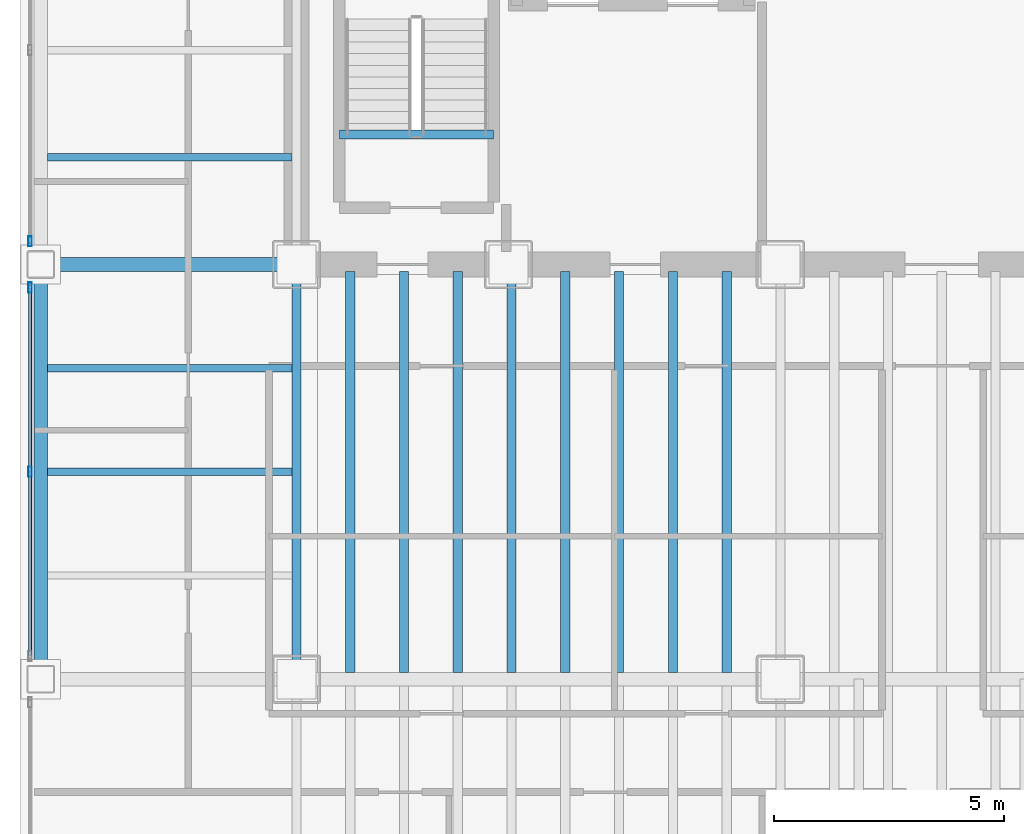
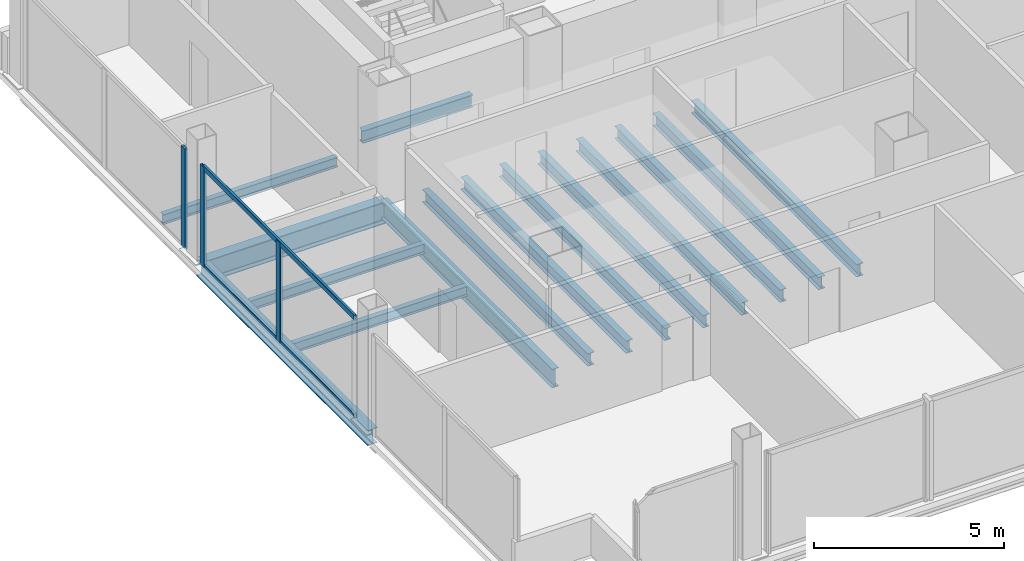
# One storey, part 6 of 22: 15 beams, 5 members, 2 elements without a shape of their own.
"""IFC4 building model written with IfcOpenShell, lengths in metres."""

from ifc_helpers import new_model, si_unit, direction, frame, origin, origin_2d, place, context, subcontext, project, spatial, hollow_rectangle, i_section, extrude, material, material_profile, profile_set, type_object, element, aggregate, save


model = new_model("IFC4")

# Units and contexts
model_context = context("Model", 3, precision=1e-05, world=origin(), true_north=direction((0.0, 1.0)))
body_context = subcontext(model_context, "Body", "Model", "MODEL_VIEW")
ifc_project = project(units=[si_unit("LENGTHUNIT", "METRE"), si_unit("AREAUNIT", "SQUARE_METRE"), si_unit("VOLUMEUNIT", "CUBIC_METRE"), si_unit("PLANEANGLEUNIT", "RADIAN"), si_unit("MASSUNIT", "GRAM", prefix="KILO")], contexts=[model_context])

# Site, building, storey
site_placement = place(None, origin())
site = spatial("IfcSite", under=ifc_project, at=site_placement, CompositionType="ELEMENT")
building_placement = place(site_placement, origin())
building = spatial("IfcBuilding", under=site, at=building_placement, Name="Noeulbin Bourse Tower", CompositionType="ELEMENT")
storey_placement = place(building_placement, frame((0.0, 0.0, 85.0)))
storey = spatial("IfcBuildingStorey", under=building, at=storey_placement, Name="L21", CompositionType="ELEMENT", Elevation=85.0)

# Beams
ifc_material_1 = material(Name="Steel S355", Category="steel")
ifc_material_profile_1 = material_profile(ifc_material_1, i_section(OverallWidth=0.199951171875, OverallDepth=0.60009765625, WebThickness=0.010986328125, FlangeThickness=0.01708984375, FilletRadius=0.02197265625, at=origin_2d()), Name="H-600x200x11x17", Category="LoadBearing")
ifc_profile_set_1 = profile_set([ifc_material_profile_1], Name="Steel S355")
beam_type_1 = type_object("IfcBeamType", Name="BM-GRD-600", PredefinedType="USERDEFINED", material=ifc_profile_set_1)
beam_1_placement = place(storey_placement, frame((13.5, 20.0, -0.47998046875), z_axis=(0.0, 1.0, 0.0), x_axis=(-1.0, 0.0, 0.0)))
element("IfcBeam", 1, at=beam_1_placement, inside=storey, type_object=beam_type_1, Name="Tower Primary Girder NS L21-1.2", ObjectType="GIRDER", PredefinedType="USERDEFINED", context=body_context, shape_type="SweptSolid", body=[
    extrude(i_section(OverallWidth=0.199951171875, OverallDepth=0.60009765625, WebThickness=0.010986328125, FlangeThickness=0.01708984375, FilletRadius=0.02197265625, at=origin_2d()), origin(), (0.0, 0.0, 1.0), 9.0),
])
ifc_material_profile_2 = material_profile(ifc_material_1, i_section(OverallWidth=0.300048828125, OverallDepth=0.699951171875, WebThickness=0.012939453125, FlangeThickness=0.02392578125, FilletRadius=0.02392578125, at=origin_2d()), Name="H-700x300x13x24", Category="LoadBearing")
ifc_profile_set_2 = profile_set([ifc_material_profile_2], Name="Steel S355")
beam_type_2 = type_object("IfcBeamType", Name="BM-GRD-700", PredefinedType="USERDEFINED", material=ifc_profile_set_2)
beam_2_placement = place(storey_placement, frame((7.949951171875, 29.0, -0.530029296875), z_axis=(1.0, 0.0, 0.0), x_axis=(0.0, 1.0, 0.0)))
element("IfcBeam", 2, at=beam_2_placement, inside=storey, type_object=beam_type_2, Name="Tower Primary Girder EW L21-2.1", ObjectType="GIRDER", PredefinedType="USERDEFINED", context=body_context, shape_type="SweptSolid", body=[
    extrude(i_section(OverallWidth=0.300048828125, OverallDepth=0.699951171875, WebThickness=0.012939453125, FlangeThickness=0.02392578125, FilletRadius=0.02392578125, at=origin_2d()), origin(), (0.0, 0.0, 1.0), 5.550048828125),
])
ifc_material_profile_3 = material_profile(ifc_material_1, i_section(OverallWidth=0.159912109375, OverallDepth=0.320068359375, WebThickness=0.006591796875, FlangeThickness=0.010009765625, FilletRadius=0.012939453125, at=origin_2d()), Name="H-320x160x6.5x10", Category="LoadBearing")
ifc_profile_set_3 = profile_set([ifc_material_profile_3], Name="Steel S355")
beam_type_3 = type_object("IfcBeamType", Name="BM-JST-320", PredefinedType="JOIST", material=ifc_profile_set_3)
for number, where, z_axis, x_axis, name in (
    (3, (8.10009765625, 24.5, -0.340087890625), (1.0, 0.0, 0.0), (0.0, 1.0, 0.0), "Wing Composite Joist L21-W71"),
    (4, (8.10009765625, 26.75, -0.340087890625), (1.0, 0.0, 0.0), (0.0, 1.0, 0.0), "Wing Composite Joist L21-W72"),
    (5, (8.10009765625, 31.324951171875, -0.340087890625), (1.0, 0.0, 0.0), (0.0, 1.0, 0.0), "Wing Composite Joist L21-W73"),
):
    element("IfcBeam", number, at=place(storey_placement, frame(where, z_axis=z_axis, x_axis=x_axis)), inside=storey, type_object=beam_type_3, Name=name, PredefinedType="JOIST", context=body_context, shape_type="SweptSolid", body=[
        extrude(i_section(OverallWidth=0.159912109375, OverallDepth=0.320068359375, WebThickness=0.006591796875, FlangeThickness=0.010009765625, FilletRadius=0.012939453125, at=origin_2d()), origin(), (0.0, 0.0, 1.0), 5.2998046875),
    ])
ifc_material_profile_4 = material_profile(ifc_material_1, i_section(OverallWidth=0.199951171875, OverallDepth=0.39990234375, WebThickness=0.008056640625, FlangeThickness=0.012939453125, FilletRadius=0.01611328125, at=origin_2d()), Name="H-400x200x8x13", Category="LoadBearing")
ifc_profile_set_4 = profile_set([ifc_material_profile_4], Name="Steel S355")
beam_type_4 = type_object("IfcBeamType", Name="BM-SEC-400", PredefinedType="BEAM", material=ifc_profile_set_4)
for number, where, z_axis, x_axis, name in (
    (6, (14.666748046875, 20.14990234375, -0.3798828125), (0.0, 1.0, 0.0), (-1.0, 0.0, 0.0), "Tower Composite Joist L21-02"),
    (7, (15.833251953125, 20.14990234375, -0.3798828125), (0.0, 1.0, 0.0), (-1.0, 0.0, 0.0), "Tower Composite Joist L21-05"),
    (8, (17.0, 20.14990234375, -0.3798828125), (0.0, 1.0, 0.0), (-1.0, 0.0, 0.0), "Tower Composite Joist L21-08"),
    (9, (18.166748046875, 20.14990234375, -0.3798828125), (0.0, 1.0, 0.0), (-1.0, 0.0, 0.0), "Tower Composite Joist L21-11"),
    (10, (19.333251953125, 20.14990234375, -0.3798828125), (0.0, 1.0, 0.0), (-1.0, 0.0, 0.0), "Tower Composite Joist L21-14"),
    (11, (20.5, 20.14990234375, -0.3798828125), (0.0, 1.0, 0.0), (-1.0, 0.0, 0.0), "Tower Composite Joist L21-17"),
    (12, (21.666748046875, 20.14990234375, -0.3798828125), (0.0, 1.0, 0.0), (-1.0, 0.0, 0.0), "Tower Composite Joist L21-20"),
    (13, (22.833251953125, 20.14990234375, -0.3798828125), (0.0, 1.0, 0.0), (-1.0, 0.0, 0.0), "Tower Composite Joist L21-23"),
):
    element("IfcBeam", number, at=place(storey_placement, frame(where, z_axis=z_axis, x_axis=x_axis)), inside=storey, type_object=beam_type_4, Name=name, PredefinedType="BEAM", context=body_context, shape_type="SweptSolid", body=[
        extrude(i_section(OverallWidth=0.199951171875, OverallDepth=0.39990234375, WebThickness=0.008056640625, FlangeThickness=0.012939453125, FilletRadius=0.01611328125, at=origin_2d()), origin(), (0.0, 0.0, 1.0), 8.7001953125),
    ])
beam_3_placement = place(storey_placement, frame((14.429931640625, 31.820068359375, -0.199951171875), z_axis=(1.0, 0.0, 0.0), x_axis=(0.0, 1.0, 0.0)))
element("IfcBeam", 14, at=beam_3_placement, inside=storey, type_object=beam_type_4, Name="Stair Threshold Trimmer Beam ST1-L21", PredefinedType="BEAM", context=body_context, shape_type="SweptSolid", body=[
    extrude(i_section(OverallWidth=0.199951171875, OverallDepth=0.39990234375, WebThickness=0.008056640625, FlangeThickness=0.012939453125, FilletRadius=0.01611328125, at=origin_2d()), origin(), (0.0, 0.0, 1.0), 3.340087890625),
])
ifc_material_profile_5 = material_profile(ifc_material_1, i_section(OverallWidth=0.300048828125, OverallDepth=0.488037109375, WebThickness=0.010986328125, FlangeThickness=0.01806640625, FilletRadius=0.02197265625, at=origin_2d()), Name="H-488x300x11x18", Category="LoadBearing")
ifc_profile_set_5 = profile_set([ifc_material_profile_5], Name="Steel S355")
beam_type_5 = type_object("IfcBeamType", Name="BM-SPN-488", PredefinedType="SPANDREL", material=ifc_profile_set_5)
beam_4_placement = place(storey_placement, frame((7.949951171875, 20.0, -0.424072265625), z_axis=(0.0, 1.0, 0.0), x_axis=(-1.0, 0.0, 0.0)))
element("IfcBeam", 15, at=beam_4_placement, inside=storey, type_object=beam_type_5, Name="West Spandrel L21-1", PredefinedType="SPANDREL", context=body_context, shape_type="SweptSolid", body=[
    extrude(i_section(OverallWidth=0.300048828125, OverallDepth=0.488037109375, WebThickness=0.010986328125, FlangeThickness=0.01806640625, FilletRadius=0.02197265625, at=origin_2d()), origin(), (0.0, 0.0, 1.0), 9.0),
])

# Curtain wall, members
ifc_material_2 = material(Name="Dark Solar-Control Double Glazing", Category="glass")
curtain_wall_type = type_object("IfcCurtainWallType", Name="CW-SYS-2", PredefinedType="NOTDEFINED", material=ifc_material_2)
curtain_wall_1_placement = place(storey_placement, origin())
curtain_wall_1 = element("IfcCurtainWall", 16, at=curtain_wall_1_placement, inside=storey, type_object=curtain_wall_type, Name="Unitised Curtain Wall CW-L21-W-S2", PredefinedType="NOTDEFINED")
ifc_material_3 = material(Name="Anodised Aluminium 6063-T6", Category="aluminium")
ifc_material_profile_6 = material_profile(ifc_material_3, hollow_rectangle(XDim=0.074951171875, YDim=0.219970703125, WallThickness=0.0048828125, InnerFilletRadius=0.00244140625, OuterFilletRadius=0.0048828125, at=origin_2d()), Name="ALU-MULL-75x220x5", Category="LoadBearing")
ifc_profile_set_6 = profile_set([ifc_material_profile_6], Name="Anodised Aluminium 6063-T6")
member_type_1 = type_object("IfcMemberType", Name="CW-SYS-2-MUL", PredefinedType="MULLION", material=ifc_profile_set_6)
member_1_placement = place(storey_placement, frame((7.719970703125, 24.5, -0.02001953125), z_axis=(0.0, 0.0, 1.0), x_axis=(1.0, 0.0, 0.0)))
member_1 = element("IfcMember", 17, at=member_1_placement, type_object=member_type_1, Name="Curtain Wall Mullion CW-L21-W-S2-M01", PredefinedType="MULLION", context=body_context, shape_type="SweptSolid", body=[
    extrude(hollow_rectangle(XDim=0.074951171875, YDim=0.219970703125, WallThickness=0.0048828125, InnerFilletRadius=0.00244140625, OuterFilletRadius=0.0048828125, at=origin_2d()), origin(), (0.0, 0.0, 1.0), 3.219970703125),
])
member_2_placement = place(storey_placement, frame((7.719970703125, 28.5, -0.02001953125), z_axis=(0.0, 0.0, 1.0), x_axis=(1.0, 0.0, 0.0)))
member_2 = element("IfcMember", 18, at=member_2_placement, type_object=member_type_1, Name="Curtain Wall Mullion CW-L21-W-S2-M02", PredefinedType="MULLION", context=body_context, shape_type="SweptSolid", body=[
    extrude(hollow_rectangle(XDim=0.074951171875, YDim=0.219970703125, WallThickness=0.0048828125, InnerFilletRadius=0.00244140625, OuterFilletRadius=0.0048828125, at=origin_2d()), origin(), (0.0, 0.0, 1.0), 3.219970703125),
])

# Curtain wall, member
curtain_wall_2_placement = place(storey_placement, origin())
curtain_wall_2 = element("IfcCurtainWall", 19, at=curtain_wall_2_placement, inside=storey, type_object=curtain_wall_type, Name="Unitised Curtain Wall CW-L21-W-S3", PredefinedType="NOTDEFINED")
member_3_placement = place(storey_placement, frame((7.719970703125, 29.5, -0.02001953125), z_axis=(0.0, 0.0, 1.0), x_axis=(1.0, 0.0, 0.0)))
member_3 = element("IfcMember", 20, at=member_3_placement, type_object=member_type_1, Name="Curtain Wall Mullion CW-L21-W-S3-M00", PredefinedType="MULLION", context=body_context, shape_type="SweptSolid", body=[
    extrude(hollow_rectangle(XDim=0.074951171875, YDim=0.219970703125, WallThickness=0.0048828125, InnerFilletRadius=0.00244140625, OuterFilletRadius=0.0048828125, at=origin_2d()), origin(), (0.0, 0.0, 1.0), 3.219970703125),
])
aggregate(curtain_wall_2, [member_3])

# Member
ifc_material_profile_7 = material_profile(ifc_material_3, hollow_rectangle(XDim=0.074951171875, YDim=0.159912109375, WallThickness=0.0048828125, InnerFilletRadius=0.00244140625, OuterFilletRadius=0.0048828125, at=origin_2d()), Name="ALU-TRAN-75x160x5", Category="LoadBearing")
ifc_profile_set_7 = profile_set([ifc_material_profile_7], Name="Anodised Aluminium 6063-T6")
member_type_2 = type_object("IfcMemberType", Name="CW-SYS-2-TRN", PredefinedType="USERDEFINED", material=ifc_profile_set_7)
member_4_placement = place(storey_placement, frame((7.719970703125, 20.510009765625, 0.010009765625), z_axis=(0.0, 1.0, 0.0), x_axis=(-1.0, 0.0, 0.0)))
member_4 = element("IfcMember", 21, at=member_4_placement, type_object=member_type_2, Name="Curtain Wall Transom CW-L21-W-S2-T00", ObjectType="TRANSOM", PredefinedType="USERDEFINED", context=body_context, shape_type="SweptSolid", body=[
    extrude(hollow_rectangle(XDim=0.074951171875, YDim=0.159912109375, WallThickness=0.0048828125, InnerFilletRadius=0.00244140625, OuterFilletRadius=0.0048828125, at=origin_2d()), origin(), (0.0, 0.0, 1.0), 7.97998046875),
])

member_5_placement = place(storey_placement, frame((7.719970703125, 20.510009765625, 3.169921875), z_axis=(0.0, 1.0, 0.0), x_axis=(-1.0, 0.0, 0.0)))
member_5 = element("IfcMember", 22, at=member_5_placement, type_object=member_type_2, Name="Curtain Wall Transom CW-L21-W-S2-T01", ObjectType="TRANSOM", PredefinedType="USERDEFINED", context=body_context, shape_type="SweptSolid", body=[
    extrude(hollow_rectangle(XDim=0.074951171875, YDim=0.159912109375, WallThickness=0.0048828125, InnerFilletRadius=0.00244140625, OuterFilletRadius=0.0048828125, at=origin_2d()), origin(), (0.0, 0.0, 1.0), 7.97998046875),
])

aggregate(curtain_wall_1, [member_1, member_2, member_4, member_5])

save(model, "model.ifc")
